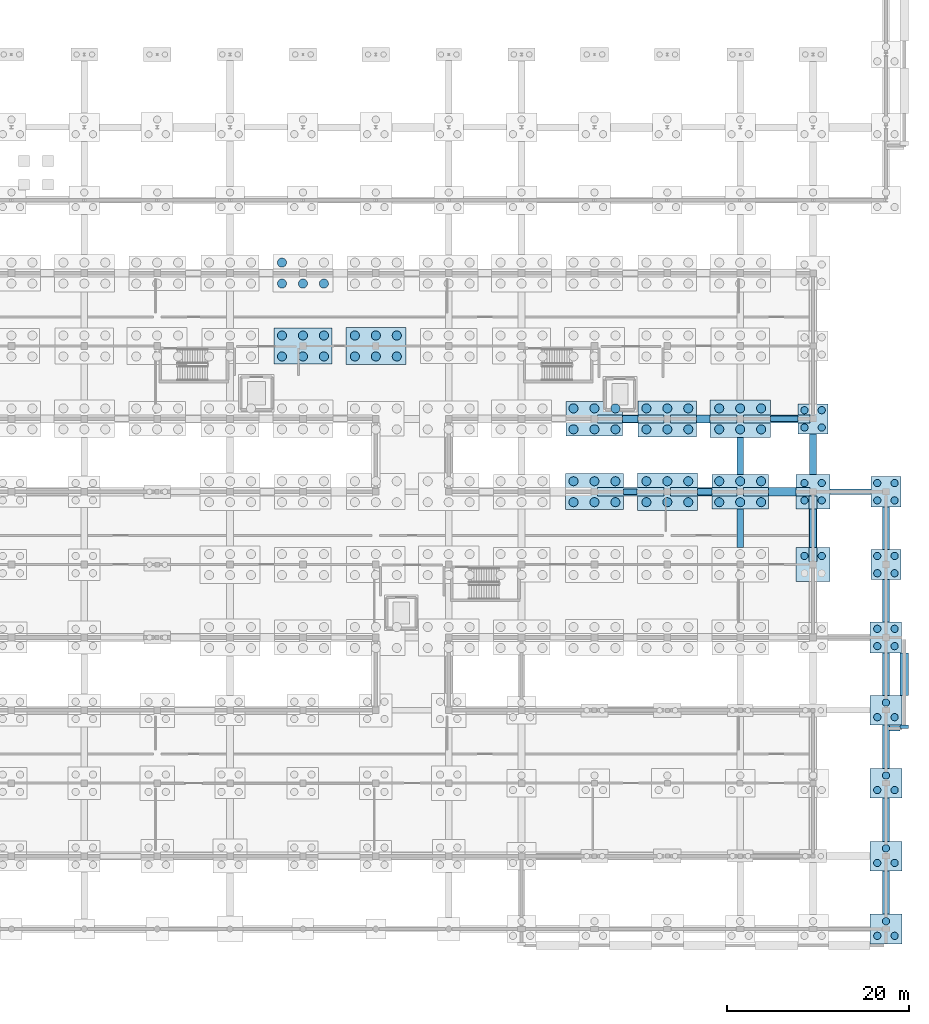
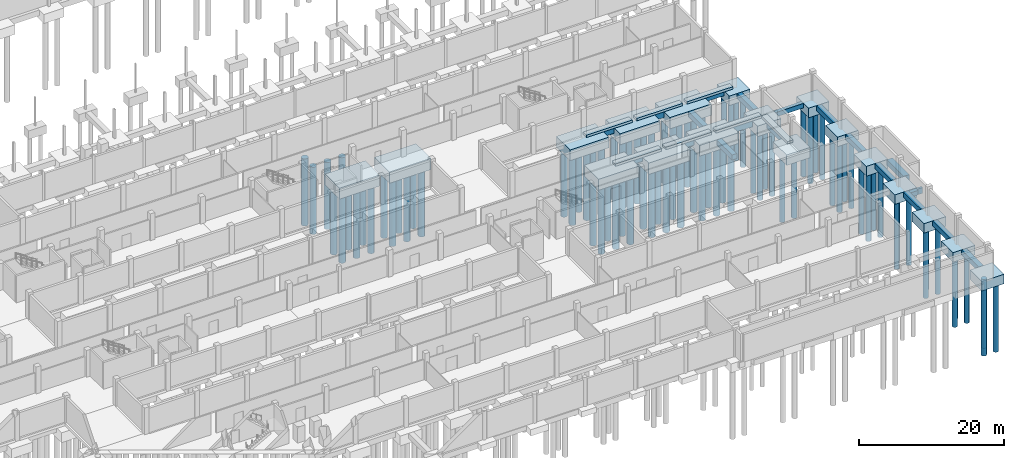
# One storey, part 14 of 51: 86 piles, 45 footings.
"""IFC4 building model written with IfcOpenShell, lengths in metres."""

from ifc_helpers import new_model, si_unit, direction, frame, origin, origin_2d, place, context, subcontext, project, spatial, rectangle, circle, extrude, material, material_profile, profile_set, type_object, element, save


model = new_model("IFC4")

# Units and contexts
model_context = context("Model", 3, precision=1e-05, world=origin(), true_north=direction((0.0, 1.0)))
body_context = subcontext(model_context, "Body", "Model", "MODEL_VIEW")
ifc_project = project(units=[si_unit("LENGTHUNIT", "METRE"), si_unit("AREAUNIT", "SQUARE_METRE"), si_unit("VOLUMEUNIT", "CUBIC_METRE"), si_unit("PLANEANGLEUNIT", "RADIAN"), si_unit("MASSUNIT", "GRAM", prefix="KILO")], contexts=[model_context])

# Site, building, storey
site_placement = place(None, origin())
site = spatial("IfcSite", under=ifc_project, at=site_placement, CompositionType="ELEMENT")
building_placement = place(site_placement, origin())
building = spatial("IfcBuilding", under=site, at=building_placement, Name="Jelvoka-Kovrelna Polytechnic", CompositionType="ELEMENT")
storey_placement = place(building_placement, frame((0.0, 0.0, -4.5)))
storey = spatial("IfcBuildingStorey", under=building, at=storey_placement, Name="B01", CompositionType="ELEMENT", Elevation=-4.5)

# Footings
ifc_material_1 = material(Name="Concrete C35/45", Category="concrete")
footing_type_1 = type_object("IfcFootingType", Name="Footing_PileCap_PC3C", PredefinedType="PILE_CAP", material=ifc_material_1)
for number, where, z_axis, x_axis, name in (
    (1, (200.0, 0.0, -2.005126953125), (0.0, 0.0, 1.0), (1.0, 0.0, 0.0), "Bored pile cap 011 (PC-3)"),
    (2, (200.0, 8.0, -2.005126953125), (0.0, 0.0, 1.0), (1.0, 0.0, 0.0), "Bored pile cap 032 (PC-3)"),
    (3, (200.0, 16.0, -2.005126953125), (0.0, 0.0, 1.0), (1.0, 0.0, 0.0), "Bored pile cap 053 (PC-3)"),
    (4, (200.0, 24.0, -2.005126953125), (0.0, 0.0, 1.0), (1.0, 0.0, 0.0), "Bored pile cap 077 (PC-3)"),
):
    element("IfcFooting", number, at=place(storey_placement, frame(where, z_axis=z_axis, x_axis=x_axis)), inside=storey, type_object=footing_type_1, Name=name, PredefinedType="PILE_CAP", context=body_context, shape_type="SweptSolid", body=[
        extrude(rectangle(XDim=3.5, YDim=3.25, at=origin_2d()), origin(), (0.0, 0.0, 1.0), 1.60009765625),
    ])
ifc_material_2 = material(Name="Concrete C35/45", Category="concrete")
footing_type_2 = type_object("IfcFootingType", Name="Footing_PileCap_PC4A", PredefinedType="PILE_CAP", material=ifc_material_2)
for number, where, z_axis, x_axis, name in (
    (5, (200.0, 40.0, -2.005126953125), (0.0, 0.0, 1.0), (1.0, 0.0, 0.0), "Bored pile cap 128 (PC-4)"),
    (6, (200.0, 48.0, -2.005126953125), (0.0, 0.0, 1.0), (1.0, 0.0, 0.0), "Bored pile cap 152 (PC-4)"),
    (7, (192.0, 56.0, -2.005126953125), (0.0, 0.0, 1.0), (1.0, 0.0, 0.0), "Bored pile cap 180 (PC-4)"),
):
    element("IfcFooting", number, at=place(storey_placement, frame(where, z_axis=z_axis, x_axis=x_axis)), inside=storey, type_object=footing_type_2, Name=name, PredefinedType="PILE_CAP", context=body_context, shape_type="SweptSolid", body=[
        extrude(rectangle(XDim=3.300048828125, YDim=3.300048828125, at=origin_2d()), origin(), (0.0, 0.0, 1.0), 1.60009765625),
    ])
ifc_material_3 = material(Name="Concrete C35/45", Category="concrete")
footing_type_3 = type_object("IfcFootingType", Name="Footing_PileCap_PC4B", PredefinedType="PILE_CAP", material=ifc_material_3)
footing_1_placement = place(storey_placement, frame((200.0, 32.0, -2.054931640625), z_axis=(0.0, 0.0, 1.0), x_axis=(1.0, 0.0, 0.0)))
element("IfcFooting", 8, at=footing_1_placement, inside=storey, type_object=footing_type_3, Name="Bored pile cap 101 (PC-4)", PredefinedType="PILE_CAP", context=body_context, shape_type="SweptSolid", body=[
    extrude(rectangle(XDim=3.449951171875, YDim=3.449951171875, at=origin_2d()), origin(), (0.0, 0.0, 1.0), 1.64990234375),
])
ifc_material_4 = material(Name="Concrete C35/45", Category="concrete")
footing_type_4 = type_object("IfcFootingType", Name="Footing_PileCap_PC4D", PredefinedType="PILE_CAP", material=ifc_material_4)
for number, where, z_axis, x_axis, name in (
    (9, (192.0, 40.0, -2.155029296875), (0.0, 0.0, 1.0), (1.0, 0.0, 0.0), "Bored pile cap 127 (PC-4)"),
    (10, (192.0, 48.0, -2.155029296875), (0.0, 0.0, 1.0), (1.0, 0.0, 0.0), "Bored pile cap 151 (PC-4)"),
):
    element("IfcFooting", number, at=place(storey_placement, frame(where, z_axis=z_axis, x_axis=x_axis)), inside=storey, type_object=footing_type_4, Name=name, PredefinedType="PILE_CAP", context=body_context, shape_type="SweptSolid", body=[
        extrude(rectangle(XDim=3.75, YDim=3.75, at=origin_2d()), origin(), (0.0, 0.0, 1.0), 1.75),
    ])
ifc_material_5 = material(Name="Concrete C35/45", Category="concrete")
footing_type_5 = type_object("IfcFootingType", Name="Footing_PileCap_PC6A", PredefinedType="PILE_CAP", material=ifc_material_5)
for number, where, z_axis, x_axis, name in (
    (11, (184.0, 48.0, -2.205078125), (0.0, 0.0, 1.0), (1.0, 0.0, 0.0), "Bored pile cap 150 (PC-6)"),
    (12, (168.0, 56.0, -2.205078125), (0.0, 0.0, 1.0), (1.0, 0.0, 0.0), "Bored pile cap 177 (PC-6)"),
):
    element("IfcFooting", number, at=place(storey_placement, frame(where, z_axis=z_axis, x_axis=x_axis)), inside=storey, type_object=footing_type_5, Name=name, PredefinedType="PILE_CAP", context=body_context, shape_type="SweptSolid", body=[
        extrude(rectangle(XDim=6.199951171875, YDim=3.800048828125, at=origin_2d()), origin(), (0.0, 0.0, 1.0), 1.800048828125),
    ])
ifc_material_6 = material(Name="Concrete C35/45", Category="concrete")
footing_type_6 = type_object("IfcFootingType", Name="Footing_PileCap_PC6B", PredefinedType="PILE_CAP", material=ifc_material_6)
for number, where, z_axis, x_axis, name in (
    (13, (168.0, 48.0, -2.255126953125), (0.0, 0.0, 1.0), (1.0, 0.0, 0.0), "Bored pile cap 148 (PC-6)"),
    (14, (176.0, 56.0, -2.255126953125), (0.0, 0.0, 1.0), (1.0, 0.0, 0.0), "Bored pile cap 178 (PC-6)"),
    (15, (136.0, 64.0, -2.255126953125), (0.0, 0.0, 1.0), (1.0, 0.0, 0.0), "Bored pile cap 193 (PC-6)"),
):
    element("IfcFooting", number, at=place(storey_placement, frame(where, z_axis=z_axis, x_axis=x_axis)), inside=storey, type_object=footing_type_6, Name=name, PredefinedType="PILE_CAP", context=body_context, shape_type="SweptSolid", body=[
        extrude(rectangle(XDim=6.39990234375, YDim=3.949951171875, at=origin_2d()), origin(), (0.0, 0.0, 1.0), 1.85009765625),
    ])
ifc_material_7 = material(Name="Concrete C35/45", Category="concrete")
footing_type_7 = type_object("IfcFootingType", Name="Footing_PileCap_PC6C", PredefinedType="PILE_CAP", material=ifc_material_7)
for number, where, z_axis, x_axis, name in (
    (16, (176.0, 48.0, -2.304931640625), (0.0, 0.0, 1.0), (1.0, 0.0, 0.0), "Bored pile cap 149 (PC-6)"),
    (17, (184.0, 56.0, -2.304931640625), (0.0, 0.0, 1.0), (1.0, 0.0, 0.0), "Bored pile cap 179 (PC-6)"),
    (18, (144.0, 64.0, -2.304931640625), (0.0, 0.0, 1.0), (1.0, 0.0, 0.0), "Bored pile cap 194 (PC-6)"),
):
    element("IfcFooting", number, at=place(storey_placement, frame(where, z_axis=z_axis, x_axis=x_axis)), inside=storey, type_object=footing_type_7, Name=name, PredefinedType="PILE_CAP", context=body_context, shape_type="SweptSolid", body=[
        extrude(rectangle(XDim=6.60009765625, YDim=4.10009765625, at=origin_2d()), origin(), (0.0, 0.0, 1.0), 1.89990234375),
    ])
ifc_material_8 = material(Name="Concrete C35/45", Category="concrete")
footing_type_8 = type_object("IfcFootingType", Name="Footing_Strip_SF1", PredefinedType="STRIP_FOOTING", material=ifc_material_8)
footing_2_placement = place(storey_placement, frame((171.949951171875, 48.0, -1.155029296875), z_axis=(0.0, 0.0, 1.0), x_axis=(1.0, 0.0, 0.0)))
element("IfcFooting", 19, at=footing_2_placement, inside=storey, type_object=footing_type_8, Name="Strip foundation tie beam 236", PredefinedType="STRIP_FOOTING", context=body_context, shape_type="SweptSolid", body=[
    extrude(rectangle(XDim=1.49609375, YDim=0.60009765625, at=origin_2d()), origin(), (0.0, 0.0, 1.0), 0.75),
])
footing_3_placement = place(storey_placement, frame((188.824951171875, 56.0, -1.155029296875), z_axis=(0.0, 0.0, 1.0), x_axis=(1.0, 0.0, 0.0)))
element("IfcFooting", 20, at=footing_3_placement, inside=storey, type_object=footing_type_8, Name="Strip foundation tie beam 262", PredefinedType="STRIP_FOOTING", context=body_context, shape_type="SweptSolid", body=[
    extrude(rectangle(XDim=3.0458984375, YDim=0.60009765625, at=origin_2d()), origin(), (0.0, 0.0, 1.0), 0.75),
])
footing_4_placement = place(storey_placement, frame((196.112548828125, 48.0, -1.155029296875), z_axis=(0.0, 0.0, 1.0), x_axis=(1.0, 0.0, 0.0)))
element("IfcFooting", 21, at=footing_4_placement, inside=storey, type_object=footing_type_8, Name="Strip foundation tie beam 281", PredefinedType="STRIP_FOOTING", context=body_context, shape_type="SweptSolid", body=[
    extrude(rectangle(XDim=4.470947265625, YDim=0.60009765625, at=origin_2d()), origin(), (0.0, 0.0, 1.0), 0.75),
])
footing_5_placement = place(storey_placement, frame((200.96240234375, 22.02001953125, -1.155029296875), z_axis=(0.0, 0.0, 1.0), x_axis=(1.0, 0.0, 0.0)))
element("IfcFooting", 22, at=footing_5_placement, inside=storey, type_object=footing_type_8, Name="Strip foundation plinth beam 01", PredefinedType="STRIP_FOOTING", context=body_context, shape_type="SweptSolid", body=[
    extrude(rectangle(XDim=1.1708984375, YDim=0.60009765625, at=origin_2d()), origin(), (0.0, 0.0, 1.0), 0.75),
])
ifc_material_9 = material(Name="Concrete C35/45", Category="concrete")
footing_type_9 = type_object("IfcFootingType", Name="Footing_Strip_SF2", PredefinedType="STRIP_FOOTING", material=ifc_material_9)
footing_6_placement = place(storey_placement, frame((171.949951171875, 56.0, -1.255126953125), z_axis=(0.0, 0.0, 1.0), x_axis=(1.0, 0.0, 0.0)))
element("IfcFooting", 23, at=footing_6_placement, inside=storey, type_object=footing_type_9, Name="Strip foundation tie beam 237", PredefinedType="STRIP_FOOTING", context=body_context, shape_type="SweptSolid", body=[
    extrude(rectangle(XDim=1.696044921875, YDim=0.75, at=origin_2d()), origin(), (0.0, 0.0, 1.0), 0.85009765625),
])
footing_7_placement = place(storey_placement, frame((180.10009765625, 48.0, -1.255126953125), z_axis=(0.0, 0.0, 1.0), x_axis=(1.0, 0.0, 0.0)))
element("IfcFooting", 24, at=footing_7_placement, inside=storey, type_object=footing_type_9, Name="Strip foundation tie beam 245", PredefinedType="STRIP_FOOTING", context=body_context, shape_type="SweptSolid", body=[
    extrude(rectangle(XDim=1.595947265625, YDim=0.75, at=origin_2d()), origin(), (0.0, 0.0, 1.0), 0.85009765625),
])
footing_8_placement = place(storey_placement, frame((184.0, 44.0, -1.255126953125), z_axis=(0.0, 0.0, 1.0), x_axis=(0.0, 1.0, 0.0)))
element("IfcFooting", 25, at=footing_8_placement, inside=storey, type_object=footing_type_9, Name="Strip foundation tie beam 259", PredefinedType="STRIP_FOOTING", context=body_context, shape_type="SweptSolid", body=[
    extrude(rectangle(XDim=4.196044921875, YDim=0.75, at=origin_2d()), origin(), (0.0, 0.0, 1.0), 0.85009765625),
])
footing_9_placement = place(storey_placement, frame((184.0, 51.925048828125, -1.255126953125), z_axis=(0.0, 0.0, 1.0), x_axis=(0.0, 1.0, 0.0)))
element("IfcFooting", 26, at=footing_9_placement, inside=storey, type_object=footing_type_9, Name="Strip foundation tie beam 261", PredefinedType="STRIP_FOOTING", context=body_context, shape_type="SweptSolid", body=[
    extrude(rectangle(XDim=4.0458984375, YDim=0.75, at=origin_2d()), origin(), (0.0, 0.0, 1.0), 0.85009765625),
])
footing_10_placement = place(storey_placement, frame((192.0, 44.0, -1.255126953125), z_axis=(0.0, 0.0, 1.0), x_axis=(0.0, 1.0, 0.0)))
element("IfcFooting", 27, at=footing_10_placement, inside=storey, type_object=footing_type_9, Name="Strip foundation tie beam 280", PredefinedType="STRIP_FOOTING", context=body_context, shape_type="SweptSolid", body=[
    extrude(rectangle(XDim=4.24609375, YDim=0.75, at=origin_2d()), origin(), (0.0, 0.0, 1.0), 0.85009765625),
])
footing_11_placement = place(storey_placement, frame((192.0, 52.112548828125, -1.255126953125), z_axis=(0.0, 0.0, 1.0), x_axis=(0.0, 1.0, 0.0)))
element("IfcFooting", 28, at=footing_11_placement, inside=storey, type_object=footing_type_9, Name="Strip foundation tie beam 282", PredefinedType="STRIP_FOOTING", context=body_context, shape_type="SweptSolid", body=[
    extrude(rectangle(XDim=4.470947265625, YDim=0.75, at=origin_2d()), origin(), (0.0, 0.0, 1.0), 0.85009765625),
])
for number, where, z_axis, x_axis, name in (
    (29, (200.0, 4.0, -1.255126953125), (0.0, 0.0, 1.0), (0.0, 1.0, 0.0), "Strip foundation tie beam 290"),
    (30, (200.0, 12.0, -1.255126953125), (0.0, 0.0, 1.0), (0.0, 1.0, 0.0), "Strip foundation tie beam 291"),
    (31, (200.0, 20.0, -1.255126953125), (0.0, 0.0, 1.0), (0.0, 1.0, 0.0), "Strip foundation tie beam 292"),
):
    element("IfcFooting", number, at=place(storey_placement, frame(where, z_axis=z_axis, x_axis=x_axis)), inside=storey, type_object=footing_type_9, Name=name, PredefinedType="STRIP_FOOTING", context=body_context, shape_type="SweptSolid", body=[
        extrude(rectangle(XDim=4.74609375, YDim=0.75, at=origin_2d()), origin(), (0.0, 0.0, 1.0), 0.85009765625),
    ])
footing_12_placement = place(storey_placement, frame((200.0, 27.949951171875, -1.255126953125), z_axis=(0.0, 0.0, 1.0), x_axis=(0.0, 1.0, 0.0)))
element("IfcFooting", 32, at=footing_12_placement, inside=storey, type_object=footing_type_9, Name="Strip foundation tie beam 293", PredefinedType="STRIP_FOOTING", context=body_context, shape_type="SweptSolid", body=[
    extrude(rectangle(XDim=4.64599609375, YDim=0.75, at=origin_2d()), origin(), (0.0, 0.0, 1.0), 0.85009765625),
])
footing_13_placement = place(storey_placement, frame((200.0, 36.03759765625, -1.255126953125), z_axis=(0.0, 0.0, 1.0), x_axis=(0.0, 1.0, 0.0)))
element("IfcFooting", 33, at=footing_13_placement, inside=storey, type_object=footing_type_9, Name="Strip foundation tie beam 294", PredefinedType="STRIP_FOOTING", context=body_context, shape_type="SweptSolid", body=[
    extrude(rectangle(XDim=4.62109375, YDim=0.75, at=origin_2d()), origin(), (0.0, 0.0, 1.0), 0.85009765625),
])
footing_14_placement = place(storey_placement, frame((200.0, 44.0, -1.255126953125), z_axis=(0.0, 0.0, 1.0), x_axis=(0.0, 1.0, 0.0)))
element("IfcFooting", 34, at=footing_14_placement, inside=storey, type_object=footing_type_9, Name="Strip foundation tie beam 295", PredefinedType="STRIP_FOOTING", context=body_context, shape_type="SweptSolid", body=[
    extrude(rectangle(XDim=4.696044921875, YDim=0.75, at=origin_2d()), origin(), (0.0, 0.0, 1.0), 0.85009765625),
])
ifc_material_10 = material(Name="Concrete C35/45", Category="concrete")
footing_type_10 = type_object("IfcFootingType", Name="Footing_Strip_SF3", PredefinedType="STRIP_FOOTING", material=ifc_material_10)
footing_15_placement = place(storey_placement, frame((179.949951171875, 56.0, -1.35498046875), z_axis=(0.0, 0.0, 1.0), x_axis=(1.0, 0.0, 0.0)))
element("IfcFooting", 35, at=footing_15_placement, inside=storey, type_object=footing_type_10, Name="Strip foundation tie beam 246", PredefinedType="STRIP_FOOTING", context=body_context, shape_type="SweptSolid", body=[
    extrude(rectangle(XDim=1.49609375, YDim=0.89990234375, at=origin_2d()), origin(), (0.0, 0.0, 1.0), 0.949951171875),
])
footing_16_placement = place(storey_placement, frame((188.612548828125, 48.0, -1.35498046875), z_axis=(0.0, 0.0, 1.0), x_axis=(1.0, 0.0, 0.0)))
element("IfcFooting", 36, at=footing_16_placement, inside=storey, type_object=footing_type_10, Name="Strip foundation tie beam 260", PredefinedType="STRIP_FOOTING", context=body_context, shape_type="SweptSolid", body=[
    extrude(rectangle(XDim=3.02099609375, YDim=0.89990234375, at=origin_2d()), origin(), (0.0, 0.0, 1.0), 0.949951171875),
])
footing_17_placement = place(storey_placement, frame((202.0, 22.1865234375, -1.35498046875), z_axis=(0.0, 0.0, 1.0), x_axis=(0.0, 1.0, 0.0)))
element("IfcFooting", 37, at=footing_17_placement, inside=storey, type_object=footing_type_10, Name="Strip foundation tie beam 358", PredefinedType="STRIP_FOOTING", context=body_context, shape_type="SweptSolid", body=[
    extrude(rectangle(XDim=0.373046875, YDim=0.89990234375, at=origin_2d()), origin(), (0.0, 0.0, 1.0), 0.949951171875),
])
footing_18_placement = place(storey_placement, frame((202.0, 27.949951171875, -1.35498046875), z_axis=(0.0, 0.0, 1.0), x_axis=(0.0, 1.0, 0.0)))
element("IfcFooting", 38, at=footing_18_placement, inside=storey, type_object=footing_type_10, Name="Strip foundation tie beam 359", PredefinedType="STRIP_FOOTING", context=body_context, shape_type="SweptSolid", body=[
    extrude(rectangle(XDim=4.64599609375, YDim=0.89990234375, at=origin_2d()), origin(), (0.0, 0.0, 1.0), 0.949951171875),
])
for number, where, z_axis, x_axis, name in (
    (39, (172.0, 48.0, -0.40478515625), (0.0, 0.0, 1.0), (1.0, 0.0, 0.0), "Strip foundation plinth beam B01W-062"),
    (40, (180.0, 48.0, -0.40478515625), (0.0, 0.0, 1.0), (1.0, 0.0, 0.0), "Strip foundation plinth beam B01W-064"),
    (41, (188.0, 48.0, -0.40478515625), (0.0, 0.0, 1.0), (1.0, 0.0, 0.0), "Strip foundation plinth beam B01W-066"),
):
    element("IfcFooting", number, at=place(storey_placement, frame(where, z_axis=z_axis, x_axis=x_axis)), inside=storey, type_object=footing_type_10, Name=name, PredefinedType="STRIP_FOOTING", context=body_context, shape_type="SweptSolid", body=[
        extrude(rectangle(XDim=7.300048828125, YDim=0.89990234375, at=origin_2d()), origin(), (0.0, 0.0, 1.0), 0.405029296875),
    ])
footing_19_placement = place(storey_placement, frame((192.0, 43.948974609375, -0.40478515625), z_axis=(0.0, 0.0, 1.0), x_axis=(0.0, 1.0, 0.0)))
element("IfcFooting", 42, at=footing_19_placement, inside=storey, type_object=footing_type_10, Name="Strip foundation plinth beam B01W-070", PredefinedType="STRIP_FOOTING", context=body_context, shape_type="SweptSolid", body=[
    extrude(rectangle(XDim=7.197998046875, YDim=0.89990234375, at=origin_2d()), origin(), (0.0, 0.0, 1.0), 0.405029296875),
])
for number, where, z_axis, x_axis, name in (
    (43, (172.0, 56.0, -0.40478515625), (0.0, 0.0, 1.0), (1.0, 0.0, 0.0), "Strip foundation plinth beam B01W-097"),
    (44, (180.0, 56.0, -0.40478515625), (0.0, 0.0, 1.0), (1.0, 0.0, 0.0), "Strip foundation plinth beam B01W-099"),
    (45, (188.0, 56.0, -0.40478515625), (0.0, 0.0, 1.0), (1.0, 0.0, 0.0), "Strip foundation plinth beam B01W-101"),
):
    element("IfcFooting", number, at=place(storey_placement, frame(where, z_axis=z_axis, x_axis=x_axis)), inside=storey, type_object=footing_type_10, Name=name, PredefinedType="STRIP_FOOTING", context=body_context, shape_type="SweptSolid", body=[
        extrude(rectangle(XDim=7.300048828125, YDim=0.89990234375, at=origin_2d()), origin(), (0.0, 0.0, 1.0), 0.405029296875),
    ])

# Piles
ifc_material_11 = material(Name="Concrete C35/45", Category="concrete")
ifc_material_profile_1 = material_profile(ifc_material_11, circle(Radius=0.5, at=origin_2d()), Name="PILE D1000")
ifc_profile_set_1 = profile_set([ifc_material_profile_1], Name="Concrete C35/45")
pile_type_1 = type_object("IfcPileType", Name="Pile_Bored_1000", PredefinedType="BORED", material=ifc_profile_set_1)
for number, where, z_axis, x_axis, name in (
    (46, (165.699951171875, 46.85009765625, -2.155029296875), (0.0, 0.0, -1.0), (1.0, 0.0, 0.0), "Bored concrete pile 148-1"),
    (47, (168.0, 46.85009765625, -2.155029296875), (0.0, 0.0, -1.0), (1.0, 0.0, 0.0), "Bored concrete pile 148-2"),
    (48, (170.300048828125, 46.85009765625, -2.155029296875), (0.0, 0.0, -1.0), (1.0, 0.0, 0.0), "Bored concrete pile 148-3"),
    (49, (165.699951171875, 49.14990234375, -2.155029296875), (0.0, 0.0, -1.0), (1.0, 0.0, 0.0), "Bored concrete pile 148-4"),
    (50, (168.0, 49.14990234375, -2.155029296875), (0.0, 0.0, -1.0), (1.0, 0.0, 0.0), "Bored concrete pile 148-5"),
    (51, (170.300048828125, 49.14990234375, -2.155029296875), (0.0, 0.0, -1.0), (1.0, 0.0, 0.0), "Bored concrete pile 148-6"),
):
    element("IfcPile", number, at=place(storey_placement, frame(where, z_axis=z_axis, x_axis=x_axis)), inside=storey, type_object=pile_type_1, Name=name, PredefinedType="BORED", context=body_context, shape_type="SweptSolid", body=[
        extrude(circle(Radius=0.5, at=origin_2d()), origin(), (0.0, 0.0, 1.0), 11.344970703125),
    ])
for number, where, z_axis, x_axis, name in (
    (52, (173.699951171875, 46.85009765625, -2.205078125), (0.0, 0.0, -1.0), (1.0, 0.0, 0.0), "Bored concrete pile 149-1"),
    (53, (176.0, 46.85009765625, -2.205078125), (0.0, 0.0, -1.0), (1.0, 0.0, 0.0), "Bored concrete pile 149-2"),
    (54, (178.300048828125, 46.85009765625, -2.205078125), (0.0, 0.0, -1.0), (1.0, 0.0, 0.0), "Bored concrete pile 149-3"),
    (55, (173.699951171875, 49.14990234375, -2.205078125), (0.0, 0.0, -1.0), (1.0, 0.0, 0.0), "Bored concrete pile 149-4"),
    (56, (176.0, 49.14990234375, -2.205078125), (0.0, 0.0, -1.0), (1.0, 0.0, 0.0), "Bored concrete pile 149-5"),
    (57, (178.300048828125, 49.14990234375, -2.205078125), (0.0, 0.0, -1.0), (1.0, 0.0, 0.0), "Bored concrete pile 149-6"),
):
    element("IfcPile", number, at=place(storey_placement, frame(where, z_axis=z_axis, x_axis=x_axis)), inside=storey, type_object=pile_type_1, Name=name, PredefinedType="BORED", context=body_context, shape_type="SweptSolid", body=[
        extrude(circle(Radius=0.5, at=origin_2d()), origin(), (0.0, 0.0, 1.0), 11.294921875),
    ])
for number, where, z_axis, x_axis, name in (
    (58, (181.699951171875, 46.85009765625, -2.10498046875), (0.0, 0.0, -1.0), (1.0, 0.0, 0.0), "Bored concrete pile 150-1"),
    (59, (184.0, 46.85009765625, -2.10498046875), (0.0, 0.0, -1.0), (1.0, 0.0, 0.0), "Bored concrete pile 150-2"),
    (60, (186.300048828125, 46.85009765625, -2.10498046875), (0.0, 0.0, -1.0), (1.0, 0.0, 0.0), "Bored concrete pile 150-3"),
    (61, (181.699951171875, 49.14990234375, -2.10498046875), (0.0, 0.0, -1.0), (1.0, 0.0, 0.0), "Bored concrete pile 150-4"),
    (62, (184.0, 49.14990234375, -2.10498046875), (0.0, 0.0, -1.0), (1.0, 0.0, 0.0), "Bored concrete pile 150-5"),
    (63, (186.300048828125, 49.14990234375, -2.10498046875), (0.0, 0.0, -1.0), (1.0, 0.0, 0.0), "Bored concrete pile 150-6"),
    (64, (165.699951171875, 54.85009765625, -2.10498046875), (0.0, 0.0, -1.0), (1.0, 0.0, 0.0), "Bored concrete pile 177-1"),
    (65, (168.0, 54.85009765625, -2.10498046875), (0.0, 0.0, -1.0), (1.0, 0.0, 0.0), "Bored concrete pile 177-2"),
    (66, (170.300048828125, 54.85009765625, -2.10498046875), (0.0, 0.0, -1.0), (1.0, 0.0, 0.0), "Bored concrete pile 177-3"),
    (67, (165.699951171875, 57.14990234375, -2.10498046875), (0.0, 0.0, -1.0), (1.0, 0.0, 0.0), "Bored concrete pile 177-4"),
    (68, (168.0, 57.14990234375, -2.10498046875), (0.0, 0.0, -1.0), (1.0, 0.0, 0.0), "Bored concrete pile 177-5"),
    (69, (170.300048828125, 57.14990234375, -2.10498046875), (0.0, 0.0, -1.0), (1.0, 0.0, 0.0), "Bored concrete pile 177-6"),
):
    element("IfcPile", number, at=place(storey_placement, frame(where, z_axis=z_axis, x_axis=x_axis)), inside=storey, type_object=pile_type_1, Name=name, PredefinedType="BORED", context=body_context, shape_type="SweptSolid", body=[
        extrude(circle(Radius=0.5, at=origin_2d()), origin(), (0.0, 0.0, 1.0), 11.39501953125),
    ])
for number, where, z_axis, x_axis, name in (
    (70, (173.699951171875, 54.85009765625, -2.155029296875), (0.0, 0.0, -1.0), (1.0, 0.0, 0.0), "Bored concrete pile 178-1"),
    (71, (176.0, 54.85009765625, -2.155029296875), (0.0, 0.0, -1.0), (1.0, 0.0, 0.0), "Bored concrete pile 178-2"),
    (72, (178.300048828125, 54.85009765625, -2.155029296875), (0.0, 0.0, -1.0), (1.0, 0.0, 0.0), "Bored concrete pile 178-3"),
    (73, (173.699951171875, 57.14990234375, -2.155029296875), (0.0, 0.0, -1.0), (1.0, 0.0, 0.0), "Bored concrete pile 178-4"),
    (74, (176.0, 57.14990234375, -2.155029296875), (0.0, 0.0, -1.0), (1.0, 0.0, 0.0), "Bored concrete pile 178-5"),
    (75, (178.300048828125, 57.14990234375, -2.155029296875), (0.0, 0.0, -1.0), (1.0, 0.0, 0.0), "Bored concrete pile 178-6"),
):
    element("IfcPile", number, at=place(storey_placement, frame(where, z_axis=z_axis, x_axis=x_axis)), inside=storey, type_object=pile_type_1, Name=name, PredefinedType="BORED", context=body_context, shape_type="SweptSolid", body=[
        extrude(circle(Radius=0.5, at=origin_2d()), origin(), (0.0, 0.0, 1.0), 11.344970703125),
    ])
for number, where, z_axis, x_axis, name in (
    (76, (181.699951171875, 54.85009765625, -2.205078125), (0.0, 0.0, -1.0), (1.0, 0.0, 0.0), "Bored concrete pile 179-1"),
    (77, (184.0, 54.85009765625, -2.205078125), (0.0, 0.0, -1.0), (1.0, 0.0, 0.0), "Bored concrete pile 179-2"),
    (78, (186.300048828125, 54.85009765625, -2.205078125), (0.0, 0.0, -1.0), (1.0, 0.0, 0.0), "Bored concrete pile 179-3"),
    (79, (181.699951171875, 57.14990234375, -2.205078125), (0.0, 0.0, -1.0), (1.0, 0.0, 0.0), "Bored concrete pile 179-4"),
    (80, (184.0, 57.14990234375, -2.205078125), (0.0, 0.0, -1.0), (1.0, 0.0, 0.0), "Bored concrete pile 179-5"),
    (81, (186.300048828125, 57.14990234375, -2.205078125), (0.0, 0.0, -1.0), (1.0, 0.0, 0.0), "Bored concrete pile 179-6"),
):
    element("IfcPile", number, at=place(storey_placement, frame(where, z_axis=z_axis, x_axis=x_axis)), inside=storey, type_object=pile_type_1, Name=name, PredefinedType="BORED", context=body_context, shape_type="SweptSolid", body=[
        extrude(circle(Radius=0.5, at=origin_2d()), origin(), (0.0, 0.0, 1.0), 11.294921875),
    ])
for number, where, z_axis, x_axis, name in (
    (82, (133.699951171875, 62.85009765625, -2.155029296875), (0.0, 0.0, -1.0), (1.0, 0.0, 0.0), "Bored concrete pile 193-1"),
    (83, (136.0, 62.85009765625, -2.155029296875), (0.0, 0.0, -1.0), (1.0, 0.0, 0.0), "Bored concrete pile 193-2"),
    (84, (138.300048828125, 62.85009765625, -2.155029296875), (0.0, 0.0, -1.0), (1.0, 0.0, 0.0), "Bored concrete pile 193-3"),
    (85, (133.699951171875, 65.14990234375, -2.155029296875), (0.0, 0.0, -1.0), (1.0, 0.0, 0.0), "Bored concrete pile 193-4"),
    (86, (136.0, 65.14990234375, -2.155029296875), (0.0, 0.0, -1.0), (1.0, 0.0, 0.0), "Bored concrete pile 193-5"),
    (87, (138.300048828125, 65.14990234375, -2.155029296875), (0.0, 0.0, -1.0), (1.0, 0.0, 0.0), "Bored concrete pile 193-6"),
):
    element("IfcPile", number, at=place(storey_placement, frame(where, z_axis=z_axis, x_axis=x_axis)), inside=storey, type_object=pile_type_1, Name=name, PredefinedType="BORED", context=body_context, shape_type="SweptSolid", body=[
        extrude(circle(Radius=0.5, at=origin_2d()), origin(), (0.0, 0.0, 1.0), 11.344970703125),
    ])
for number, where, z_axis, x_axis, name in (
    (88, (141.699951171875, 62.85009765625, -2.205078125), (0.0, 0.0, -1.0), (1.0, 0.0, 0.0), "Bored concrete pile 194-1"),
    (89, (144.0, 62.85009765625, -2.205078125), (0.0, 0.0, -1.0), (1.0, 0.0, 0.0), "Bored concrete pile 194-2"),
    (90, (146.300048828125, 62.85009765625, -2.205078125), (0.0, 0.0, -1.0), (1.0, 0.0, 0.0), "Bored concrete pile 194-3"),
    (91, (141.699951171875, 65.14990234375, -2.205078125), (0.0, 0.0, -1.0), (1.0, 0.0, 0.0), "Bored concrete pile 194-4"),
    (92, (144.0, 65.14990234375, -2.205078125), (0.0, 0.0, -1.0), (1.0, 0.0, 0.0), "Bored concrete pile 194-5"),
    (93, (146.300048828125, 65.14990234375, -2.205078125), (0.0, 0.0, -1.0), (1.0, 0.0, 0.0), "Bored concrete pile 194-6"),
    (94, (133.699951171875, 70.85009765625, -2.205078125), (0.0, 0.0, -1.0), (1.0, 0.0, 0.0), "Bored concrete pile 212-1"),
    (95, (136.0, 70.85009765625, -2.205078125), (0.0, 0.0, -1.0), (1.0, 0.0, 0.0), "Bored concrete pile 212-2"),
    (96, (138.300048828125, 70.85009765625, -2.205078125), (0.0, 0.0, -1.0), (1.0, 0.0, 0.0), "Bored concrete pile 212-3"),
    (97, (133.699951171875, 73.14990234375, -2.205078125), (0.0, 0.0, -1.0), (1.0, 0.0, 0.0), "Bored concrete pile 212-4"),
):
    element("IfcPile", number, at=place(storey_placement, frame(where, z_axis=z_axis, x_axis=x_axis)), inside=storey, type_object=pile_type_1, Name=name, PredefinedType="BORED", context=body_context, shape_type="SweptSolid", body=[
        extrude(circle(Radius=0.5, at=origin_2d()), origin(), (0.0, 0.0, 1.0), 11.294921875),
    ])
ifc_material_12 = material(Name="Concrete C35/45", Category="concrete")
ifc_material_profile_2 = material_profile(ifc_material_12, circle(Radius=0.39990234375, at=origin_2d()), Name="PILE D800")
ifc_profile_set_2 = profile_set([ifc_material_profile_2], Name="Concrete C35/45")
pile_type_2 = type_object("IfcPileType", Name="Pile_Bored_800", PredefinedType="BORED", material=ifc_profile_set_2)
for number, where, z_axis, x_axis, name in (
    (98, (199.050048828125, -0.75, -1.905029296875), (0.0, 0.0, -1.0), (1.0, 0.0, 0.0), "Bored concrete pile 011-1"),
    (99, (200.949951171875, -0.75, -1.905029296875), (0.0, 0.0, -1.0), (1.0, 0.0, 0.0), "Bored concrete pile 011-2"),
    (100, (200.0, 0.85009765625, -1.905029296875), (0.0, 0.0, -1.0), (1.0, 0.0, 0.0), "Bored concrete pile 011-3"),
    (101, (199.050048828125, 7.25, -1.905029296875), (0.0, 0.0, -1.0), (1.0, 0.0, 0.0), "Bored concrete pile 032-1"),
    (102, (200.949951171875, 7.25, -1.905029296875), (0.0, 0.0, -1.0), (1.0, 0.0, 0.0), "Bored concrete pile 032-2"),
    (103, (200.0, 8.85009765625, -1.905029296875), (0.0, 0.0, -1.0), (1.0, 0.0, 0.0), "Bored concrete pile 032-3"),
    (104, (199.050048828125, 15.25, -1.905029296875), (0.0, 0.0, -1.0), (1.0, 0.0, 0.0), "Bored concrete pile 053-1"),
    (105, (200.949951171875, 15.25, -1.905029296875), (0.0, 0.0, -1.0), (1.0, 0.0, 0.0), "Bored concrete pile 053-2"),
    (106, (200.0, 16.85009765625, -1.905029296875), (0.0, 0.0, -1.0), (1.0, 0.0, 0.0), "Bored concrete pile 053-3"),
    (107, (199.050048828125, 23.25, -1.905029296875), (0.0, 0.0, -1.0), (1.0, 0.0, 0.0), "Bored concrete pile 077-1"),
    (108, (200.949951171875, 23.25, -1.905029296875), (0.0, 0.0, -1.0), (1.0, 0.0, 0.0), "Bored concrete pile 077-2"),
    (109, (200.0, 24.85009765625, -1.905029296875), (0.0, 0.0, -1.0), (1.0, 0.0, 0.0), "Bored concrete pile 077-3"),
):
    element("IfcPile", number, at=place(storey_placement, frame(where, z_axis=z_axis, x_axis=x_axis)), inside=storey, type_object=pile_type_2, Name=name, PredefinedType="BORED", context=body_context, shape_type="SweptSolid", body=[
        extrude(circle(Radius=0.39990234375, at=origin_2d()), origin(), (0.0, 0.0, 1.0), 11.594970703125),
    ])
for number, where, z_axis, x_axis, name in (
    (110, (199.050048828125, 31.050048828125, -1.955078125), (0.0, 0.0, -1.0), (1.0, 0.0, 0.0), "Bored concrete pile 101-1"),
    (111, (200.949951171875, 31.050048828125, -1.955078125), (0.0, 0.0, -1.0), (1.0, 0.0, 0.0), "Bored concrete pile 101-2"),
    (112, (199.050048828125, 32.949951171875, -1.955078125), (0.0, 0.0, -1.0), (1.0, 0.0, 0.0), "Bored concrete pile 101-3"),
    (113, (200.949951171875, 32.949951171875, -1.955078125), (0.0, 0.0, -1.0), (1.0, 0.0, 0.0), "Bored concrete pile 101-4"),
):
    element("IfcPile", number, at=place(storey_placement, frame(where, z_axis=z_axis, x_axis=x_axis)), inside=storey, type_object=pile_type_2, Name=name, PredefinedType="BORED", context=body_context, shape_type="SweptSolid", body=[
        extrude(circle(Radius=0.39990234375, at=origin_2d()), origin(), (0.0, 0.0, 1.0), 11.544921875),
    ])
for number, where, z_axis, x_axis, name in (
    (114, (191.050048828125, 40.949951171875, -2.054931640625), (0.0, 0.0, -1.0), (1.0, 0.0, 0.0), "Bored concrete pile 127-3"),
    (115, (192.949951171875, 40.949951171875, -2.054931640625), (0.0, 0.0, -1.0), (1.0, 0.0, 0.0), "Bored concrete pile 127-4"),
):
    element("IfcPile", number, at=place(storey_placement, frame(where, z_axis=z_axis, x_axis=x_axis)), inside=storey, type_object=pile_type_2, Name=name, PredefinedType="BORED", context=body_context, shape_type="SweptSolid", body=[
        extrude(circle(Radius=0.39990234375, at=origin_2d()), origin(), (0.0, 0.0, 1.0), 11.445068359375),
    ])
for number, where, z_axis, x_axis, name in (
    (116, (199.050048828125, 39.050048828125, -1.905029296875), (0.0, 0.0, -1.0), (1.0, 0.0, 0.0), "Bored concrete pile 128-1"),
    (117, (200.949951171875, 39.050048828125, -1.905029296875), (0.0, 0.0, -1.0), (1.0, 0.0, 0.0), "Bored concrete pile 128-2"),
    (118, (199.050048828125, 40.949951171875, -1.905029296875), (0.0, 0.0, -1.0), (1.0, 0.0, 0.0), "Bored concrete pile 128-3"),
    (119, (200.949951171875, 40.949951171875, -1.905029296875), (0.0, 0.0, -1.0), (1.0, 0.0, 0.0), "Bored concrete pile 128-4"),
):
    element("IfcPile", number, at=place(storey_placement, frame(where, z_axis=z_axis, x_axis=x_axis)), inside=storey, type_object=pile_type_2, Name=name, PredefinedType="BORED", context=body_context, shape_type="SweptSolid", body=[
        extrude(circle(Radius=0.39990234375, at=origin_2d()), origin(), (0.0, 0.0, 1.0), 11.594970703125),
    ])
for number, where, z_axis, x_axis, name in (
    (120, (191.050048828125, 47.050048828125, -2.054931640625), (0.0, 0.0, -1.0), (1.0, 0.0, 0.0), "Bored concrete pile 151-1"),
    (121, (192.949951171875, 47.050048828125, -2.054931640625), (0.0, 0.0, -1.0), (1.0, 0.0, 0.0), "Bored concrete pile 151-2"),
    (122, (191.050048828125, 48.949951171875, -2.054931640625), (0.0, 0.0, -1.0), (1.0, 0.0, 0.0), "Bored concrete pile 151-3"),
    (123, (192.949951171875, 48.949951171875, -2.054931640625), (0.0, 0.0, -1.0), (1.0, 0.0, 0.0), "Bored concrete pile 151-4"),
):
    element("IfcPile", number, at=place(storey_placement, frame(where, z_axis=z_axis, x_axis=x_axis)), inside=storey, type_object=pile_type_2, Name=name, PredefinedType="BORED", context=body_context, shape_type="SweptSolid", body=[
        extrude(circle(Radius=0.39990234375, at=origin_2d()), origin(), (0.0, 0.0, 1.0), 11.445068359375),
    ])
for number, where, z_axis, x_axis, name in (
    (124, (199.050048828125, 47.050048828125, -1.905029296875), (0.0, 0.0, -1.0), (1.0, 0.0, 0.0), "Bored concrete pile 152-1"),
    (125, (200.949951171875, 47.050048828125, -1.905029296875), (0.0, 0.0, -1.0), (1.0, 0.0, 0.0), "Bored concrete pile 152-2"),
    (126, (199.050048828125, 48.949951171875, -1.905029296875), (0.0, 0.0, -1.0), (1.0, 0.0, 0.0), "Bored concrete pile 152-3"),
    (127, (200.949951171875, 48.949951171875, -1.905029296875), (0.0, 0.0, -1.0), (1.0, 0.0, 0.0), "Bored concrete pile 152-4"),
    (128, (191.050048828125, 55.050048828125, -1.905029296875), (0.0, 0.0, -1.0), (1.0, 0.0, 0.0), "Bored concrete pile 180-1"),
    (129, (192.949951171875, 55.050048828125, -1.905029296875), (0.0, 0.0, -1.0), (1.0, 0.0, 0.0), "Bored concrete pile 180-2"),
    (130, (191.050048828125, 56.949951171875, -1.905029296875), (0.0, 0.0, -1.0), (1.0, 0.0, 0.0), "Bored concrete pile 180-3"),
    (131, (192.949951171875, 56.949951171875, -1.905029296875), (0.0, 0.0, -1.0), (1.0, 0.0, 0.0), "Bored concrete pile 180-4"),
):
    element("IfcPile", number, at=place(storey_placement, frame(where, z_axis=z_axis, x_axis=x_axis)), inside=storey, type_object=pile_type_2, Name=name, PredefinedType="BORED", context=body_context, shape_type="SweptSolid", body=[
        extrude(circle(Radius=0.39990234375, at=origin_2d()), origin(), (0.0, 0.0, 1.0), 11.594970703125),
    ])

save(model, "model.ifc")
